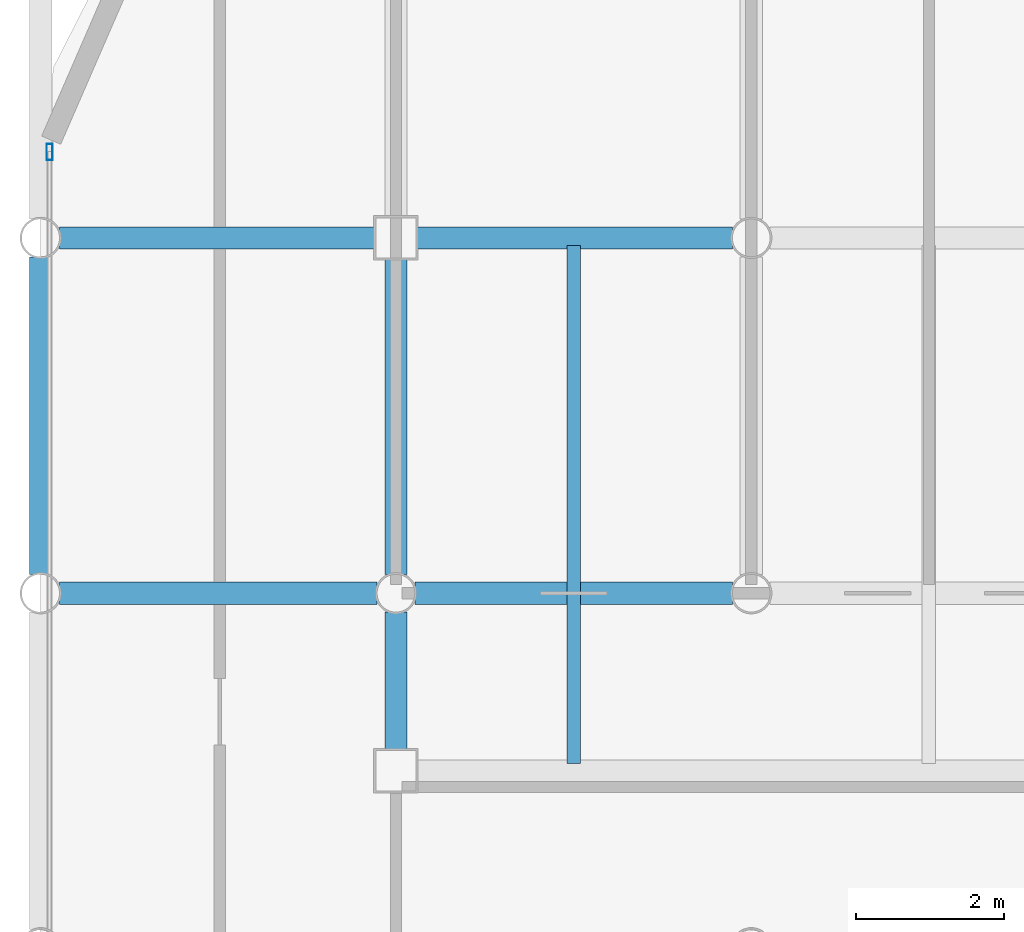
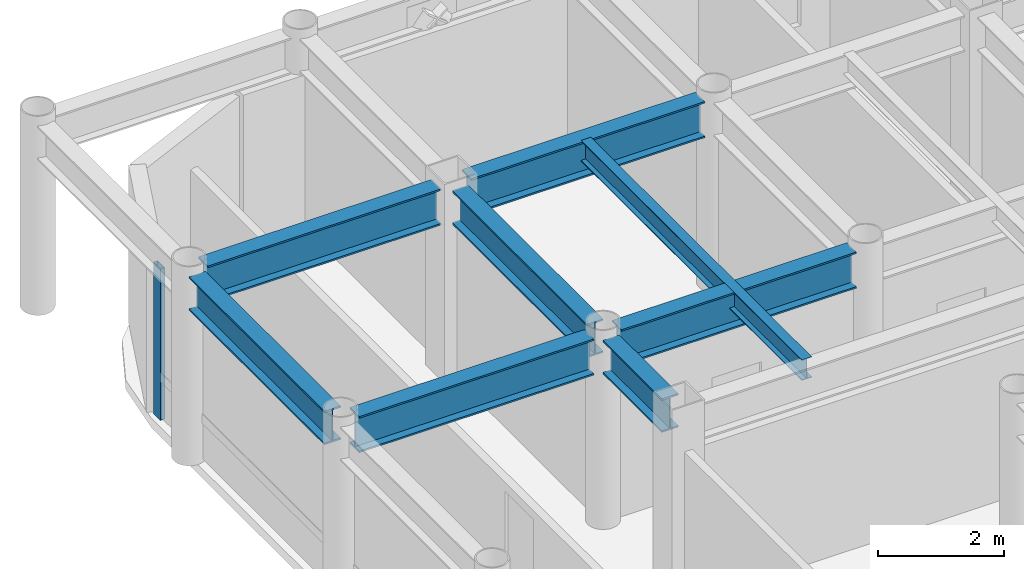
# One storey, part 11 of 22: 8 beams, 1 member, 1 element without a shape of its own.
"""IFC4 building model written with IfcOpenShell, lengths in metres."""

from ifc_helpers import new_model, si_unit, direction, frame, origin, origin_2d, place, context, subcontext, project, spatial, hollow_rectangle, i_section, extrude, material, layer, layer_set, material_profile, profile_set, type_object, element, aggregate, save


model = new_model("IFC4")

# Units and contexts
model_context = context("Model", 3, precision=1e-05, world=origin(), true_north=direction((0.0, 1.0)))
body_context = subcontext(model_context, "Body", "Model", "MODEL_VIEW")
ifc_project = project(units=[si_unit("LENGTHUNIT", "METRE"), si_unit("AREAUNIT", "SQUARE_METRE"), si_unit("VOLUMEUNIT", "CUBIC_METRE"), si_unit("PLANEANGLEUNIT", "RADIAN"), si_unit("MASSUNIT", "GRAM", prefix="KILO")], contexts=[model_context])

# Site, building, storey
site_placement = place(None, origin())
site = spatial("IfcSite", under=ifc_project, at=site_placement, CompositionType="ELEMENT")
building_placement = place(site_placement, origin())
building = spatial("IfcBuilding", under=site, at=building_placement, Name="Kallvorn Hotel Tower", CompositionType="ELEMENT")
storey_placement = place(building_placement, frame((0.0, 0.0, 206.89990234375)))
storey = spatial("IfcBuildingStorey", under=building, at=storey_placement, Name="L51", CompositionType="ELEMENT", Elevation=206.89990234375)

# Beams
ifc_material_1 = material(Name="Structural steel S355JR", Category="steel")
ifc_material_profile_1 = material_profile(ifc_material_1, i_section(OverallWidth=0.300048828125, OverallDepth=0.64990234375, WebThickness=0.01611328125, FlangeThickness=0.031005859375, at=origin_2d()), Name="HE 650 B")
ifc_profile_set_1 = profile_set([ifc_material_profile_1], Name="Structural steel S355JR")
beam_type_1 = type_object("IfcBeamType", Name="BM_HE650B", PredefinedType="BEAM", material=ifc_profile_set_1)
beam_1_placement = place(storey_placement, frame((-28.800048828125, 9.8544921875, 3.34521484375), z_axis=(0.0, 1.0, 0.0), x_axis=(-1.0, 0.0, 0.0)))
element("IfcBeam", 1, at=beam_1_placement, inside=storey, type_object=beam_type_1, Name="L52 Primary Y-Girder 79", PredefinedType="BEAM", context=body_context, shape_type="SweptSolid", body=[
    extrude(i_section(OverallWidth=0.300048828125, OverallDepth=0.64990234375, WebThickness=0.01611328125, FlangeThickness=0.031005859375, at=origin_2d()), origin(), (0.0, 0.0, 1.0), 4.291015625),
])
beam_2_placement = place(storey_placement, frame((-24.0, 7.47509765625, 3.34521484375), z_axis=(0.0, 1.0, 0.0), x_axis=(-1.0, 0.0, 0.0)))
element("IfcBeam", 2, at=beam_2_placement, inside=storey, type_object=beam_type_1, Name="L52 Primary Y-Girder 85", PredefinedType="BEAM", context=body_context, shape_type="SweptSolid", body=[
    extrude(i_section(OverallWidth=0.300048828125, OverallDepth=0.64990234375, WebThickness=0.01611328125, FlangeThickness=0.031005859375, at=origin_2d()), origin(), (0.0, 0.0, 1.0), 1.870361328125),
])
beam_3_placement = place(storey_placement, frame((-24.0, 9.8544921875, 3.34521484375), z_axis=(0.0, 1.0, 0.0), x_axis=(-1.0, 0.0, 0.0)))
element("IfcBeam", 3, at=beam_3_placement, inside=storey, type_object=beam_type_1, Name="L52 Primary Y-Girder 86", PredefinedType="BEAM", context=body_context, shape_type="SweptSolid", body=[
    extrude(i_section(OverallWidth=0.300048828125, OverallDepth=0.64990234375, WebThickness=0.01611328125, FlangeThickness=0.031005859375, at=origin_2d()), origin(), (0.0, 0.0, 1.0), 4.2705078125),
])
ifc_material_2 = material(Name="Structural steel S355JR", Category="steel")
ifc_material_profile_2 = material_profile(ifc_material_2, i_section(OverallWidth=0.300048828125, OverallDepth=0.699951171875, WebThickness=0.01708984375, FlangeThickness=0.031982421875, at=origin_2d()), Name="HE 700 B")
ifc_profile_set_2 = profile_set([ifc_material_profile_2], Name="Structural steel S355JR")
beam_type_2 = type_object("IfcBeamType", Name="BM_HE700B", PredefinedType="BEAM", material=ifc_profile_set_2)
for number, where, z_axis, x_axis, name in (
    (4, (-28.54541015625, 9.60009765625, 3.320068359375), (1.0, 0.0, 0.0), (0.0, 1.0, 0.0), "L52 Primary X-Girder 42"),
    (5, (-23.74560546875, 9.60009765625, 3.320068359375), (1.0, 0.0, 0.0), (0.0, 1.0, 0.0), "L52 Primary X-Girder 43"),
):
    element("IfcBeam", number, at=place(storey_placement, frame(where, z_axis=z_axis, x_axis=x_axis)), inside=storey, type_object=beam_type_2, Name=name, PredefinedType="BEAM", context=body_context, shape_type="SweptSolid", body=[
        extrude(i_section(OverallWidth=0.300048828125, OverallDepth=0.699951171875, WebThickness=0.01708984375, FlangeThickness=0.031982421875, at=origin_2d()), origin(), (0.0, 0.0, 1.0), 4.291015625),
    ])
for number, where, z_axis, x_axis, name in (
    (6, (-28.54541015625, 14.39990234375, 3.320068359375), (1.0, 0.0, 0.0), (0.0, 1.0, 0.0), "L52 Primary X-Girder 51"),
    (7, (-23.72509765625, 14.39990234375, 3.320068359375), (1.0, 0.0, 0.0), (0.0, 1.0, 0.0), "L52 Primary X-Girder 52"),
):
    element("IfcBeam", number, at=place(storey_placement, frame(where, z_axis=z_axis, x_axis=x_axis)), inside=storey, type_object=beam_type_2, Name=name, PredefinedType="BEAM", context=body_context, shape_type="SweptSolid", body=[
        extrude(i_section(OverallWidth=0.300048828125, OverallDepth=0.699951171875, WebThickness=0.01708984375, FlangeThickness=0.031982421875, at=origin_2d()), origin(), (0.0, 0.0, 1.0), 4.2705078125),
    ])
ifc_material_3 = material(Name="Structural steel S355JR", Category="steel")
ifc_material_profile_3 = material_profile(ifc_material_3, i_section(OverallWidth=0.179931640625, OverallDepth=0.39990234375, WebThickness=0.008544921875, FlangeThickness=0.013427734375, at=origin_2d()), Name="IPE 400")
ifc_profile_set_3 = profile_set([ifc_material_profile_3], Name="Structural steel S355JR")
beam_type_3 = type_object("IfcBeamType", Name="BM_IPE400", PredefinedType="JOIST", material=ifc_profile_set_3)
beam_4_placement = place(storey_placement, frame((-21.60009765625, 7.300048828125, 3.47021484375), z_axis=(0.0, 1.0, 0.0), x_axis=(-1.0, 0.0, 0.0)))
element("IfcBeam", 8, at=beam_4_placement, inside=storey, type_object=beam_type_3, Name="L52 Secondary Composite Joist 193", PredefinedType="JOIST", context=body_context, shape_type="SweptSolid", body=[
    extrude(i_section(OverallWidth=0.179931640625, OverallDepth=0.39990234375, WebThickness=0.008544921875, FlangeThickness=0.013427734375, at=origin_2d()), origin(), (0.0, 0.0, 1.0), 7.0),
])

# Curtain wall, member
ifc_material_4 = material(Name="Thermally broken black-anodised aluminium AA 6063-T6", Category="aluminium")
ifc_layer = layer(ifc_material_4, 0.22998046875)
ifc_layer_set = layer_set([ifc_layer], Name="CW_SYS_5_HOTEL_HIGH")
curtain_wall_type = type_object("IfcCurtainWallType", Name="CW_SYS_5_HOTEL_HIGH", PredefinedType="USERDEFINED", material=ifc_layer_set)
curtain_wall_placement = place(storey_placement, origin())
curtain_wall = element("IfcCurtainWall", 9, at=curtain_wall_placement, inside=storey, type_object=curtain_wall_type, Name="L51 Dark-Glass Curtain Wall CW-L51-WN", ObjectType="UNITISED CURTAIN WALL", PredefinedType="USERDEFINED")
ifc_material_5 = material(Name="Thermally broken black-anodised aluminium AA 6063-T6", Category="aluminium")
ifc_material_profile_4 = material_profile(ifc_material_5, hollow_rectangle(XDim=0.080078125, YDim=0.219970703125, WallThickness=0.0048828125, at=origin_2d()), Name="MUL 220x80")
ifc_profile_set_4 = profile_set([ifc_material_profile_4], Name="Thermally broken black-anodised aluminium AA 6063-T6")
member_type = type_object("IfcMemberType", Name="CW_MULLION_220x80", PredefinedType="MULLION", material=ifc_profile_set_4)
member_placement = place(storey_placement, frame((-28.679931640625, 15.56005859375, 0.02001953125), z_axis=(0.0, 0.0, 1.0), x_axis=(1.0, 0.0, 0.0)))
member = element("IfcMember", 10, at=member_placement, type_object=member_type, Name="CW-L51-WN Mullion 01", PredefinedType="MULLION", context=body_context, shape_type="SweptSolid", body=[
    extrude(hollow_rectangle(XDim=0.080078125, YDim=0.219970703125, WallThickness=0.0048828125, at=origin_2d()), origin(), (0.0, 0.0, 1.0), 2.93017578125),
])
aggregate(curtain_wall, [member])

save(model, "model.ifc")
